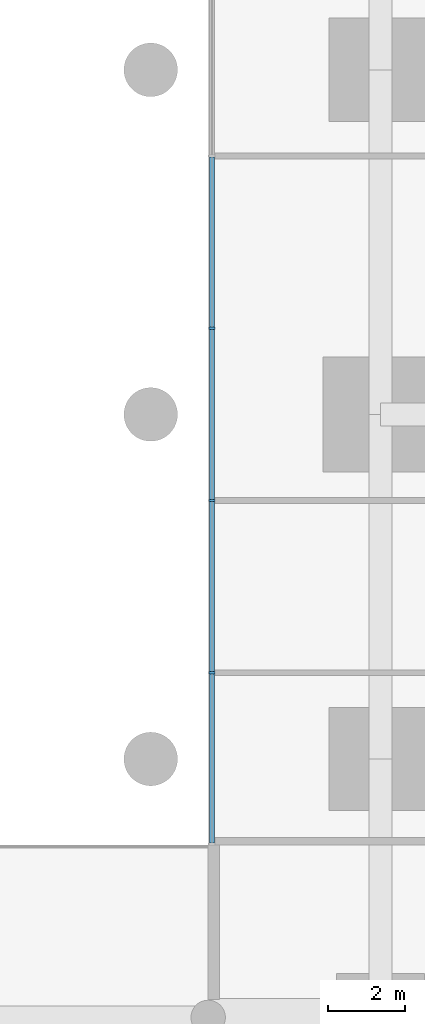
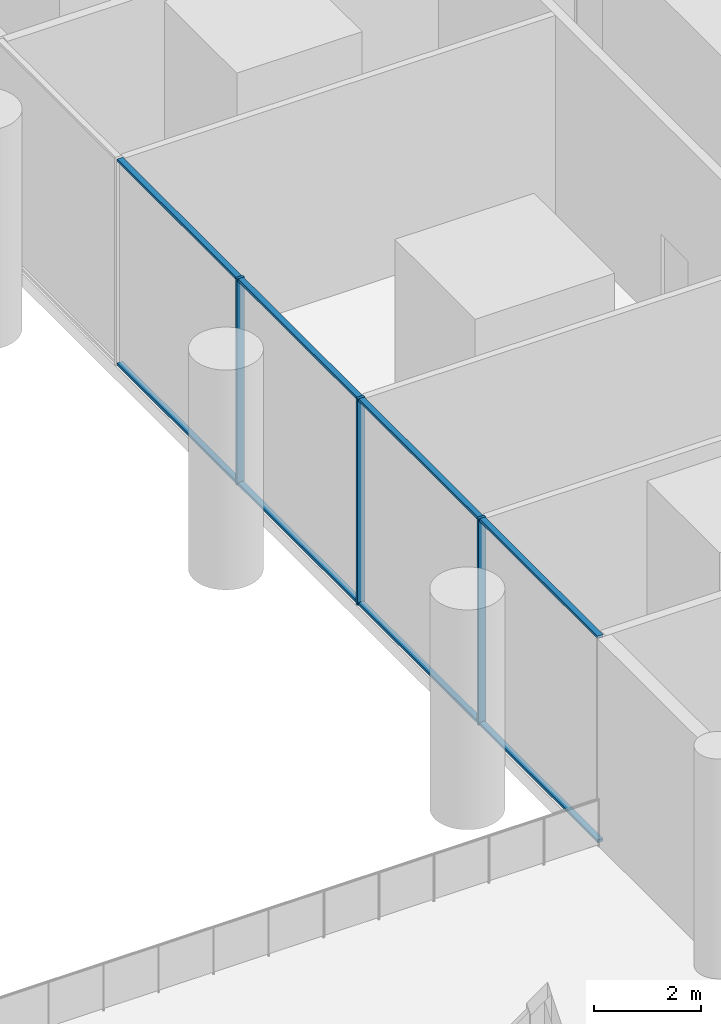
# One storey, part 4 of 22: 11 members, 1 element without a shape of its own.
"""IFC4 building model written with IfcOpenShell, lengths in metres."""

from ifc_helpers import new_model, si_unit, direction, frame, origin, origin_2d, place, context, subcontext, project, spatial, rectangle, extrude, material, layer, layer_set, material_profile, profile_set, type_object, element, aggregate, save


model = new_model("IFC4")

# Units and contexts
model_context = context("Model", 3, precision=1e-05, world=origin(), true_north=direction((0.0, 1.0)))
body_context = subcontext(model_context, "Body", "Model", "MODEL_VIEW")
ifc_project = project(units=[si_unit("LENGTHUNIT", "METRE"), si_unit("AREAUNIT", "SQUARE_METRE"), si_unit("VOLUMEUNIT", "CUBIC_METRE"), si_unit("PLANEANGLEUNIT", "RADIAN"), si_unit("MASSUNIT", "GRAM", prefix="KILO")], contexts=[model_context])

# Site, building, storey
site_placement = place(None, origin())
site = spatial("IfcSite", under=ifc_project, at=site_placement, CompositionType="ELEMENT")
building_placement = place(site_placement, origin())
building = spatial("IfcBuilding", under=site, at=building_placement, Name="Namib Vertical Campus", CompositionType="ELEMENT")
storey_placement = place(building_placement, frame((0.0, 0.0, 11.0)))
storey = spatial("IfcBuildingStorey", under=building, at=storey_placement, Name="L02", CompositionType="ELEMENT", Elevation=11.0)

# Curtain wall, members
ifc_material_1 = material(Name="Black aluminium curtain wall", Category="aluminium")
ifc_layer = layer(ifc_material_1, 0.199951171875)
ifc_layer_set = layer_set([ifc_layer], Name="Atrium screen curtain wall CW-AT")
curtain_wall_type = type_object("IfcCurtainWallType", Name="Atrium screen curtain wall CW-AT", PredefinedType="USERDEFINED", material=ifc_layer_set)
curtain_wall_placement = place(storey_placement, origin())
curtain_wall = element("IfcCurtainWall", 1, at=curtain_wall_placement, inside=storey, type_object=curtain_wall_type, Name="Curtain wall CW-AT atrium B L02 1", ObjectType="CURTAIN WALL", PredefinedType="USERDEFINED")
ifc_material_2 = material(Name="Black anodised aluminium", Category="aluminium")
ifc_material_profile_1 = material_profile(ifc_material_2, rectangle(XDim=0.06005859375, YDim=0.159912109375, at=origin_2d()))
ifc_profile_set_1 = profile_set([ifc_material_profile_1], Name="Black anodised aluminium")
member_type_1 = type_object("IfcMemberType", Name="Curtain wall mullion 60x160", PredefinedType="MULLION", material=ifc_profile_set_1)
member_1_placement = place(storey_placement, frame((63.10009765625, 13.5, 0.0), z_axis=(0.0, 0.0, 1.0), x_axis=(0.0, 1.0, 0.0)))
member_1 = element("IfcMember", 2, at=member_1_placement, type_object=member_type_1, Name="CW-AT mullion 2", PredefinedType="MULLION", context=body_context, shape_type="SweptSolid", body=[
    extrude(rectangle(XDim=0.06005859375, YDim=0.159912109375, at=origin_2d()), origin(), (0.0, 0.0, 1.0), 4.699951171875),
])
member_2_placement = place(storey_placement, frame((63.10009765625, 18.0, 0.0), z_axis=(0.0, 0.0, 1.0), x_axis=(0.0, 1.0, 0.0)))
member_2 = element("IfcMember", 3, at=member_2_placement, type_object=member_type_1, Name="CW-AT mullion 3", PredefinedType="MULLION", context=body_context, shape_type="SweptSolid", body=[
    extrude(rectangle(XDim=0.06005859375, YDim=0.159912109375, at=origin_2d()), origin(), (0.0, 0.0, 1.0), 4.699951171875),
])
member_3_placement = place(storey_placement, frame((63.10009765625, 22.5, 0.0), z_axis=(0.0, 0.0, 1.0), x_axis=(0.0, 1.0, 0.0)))
member_3 = element("IfcMember", 4, at=member_3_placement, type_object=member_type_1, Name="CW-AT mullion 4", PredefinedType="MULLION", context=body_context, shape_type="SweptSolid", body=[
    extrude(rectangle(XDim=0.06005859375, YDim=0.159912109375, at=origin_2d()), origin(), (0.0, 0.0, 1.0), 4.699951171875),
])
ifc_material_3 = material(Name="Black anodised aluminium", Category="aluminium")
ifc_material_profile_2 = material_profile(ifc_material_3, rectangle(XDim=0.06005859375, YDim=0.1201171875, at=origin_2d()))
ifc_profile_set_2 = profile_set([ifc_material_profile_2], Name="Black anodised aluminium")
member_type_2 = type_object("IfcMemberType", Name="Curtain wall transom 60x120", PredefinedType="USERDEFINED", material=ifc_profile_set_2)
member_4_placement = place(storey_placement, frame((63.10009765625, 9.06005859375, 0.030029296875), z_axis=(0.0, 1.0, 0.0), x_axis=(0.0, 0.0, 1.0)))
member_4 = element("IfcMember", 5, at=member_4_placement, type_object=member_type_2, Name="CW-AT transom 1.1", ObjectType="TRANSOM", PredefinedType="USERDEFINED", context=body_context, shape_type="SweptSolid", body=[
    extrude(rectangle(XDim=0.06005859375, YDim=0.1201171875, at=origin_2d()), origin(), (0.0, 0.0, 1.0), 4.409912109375),
])
member_5_placement = place(storey_placement, frame((63.10009765625, 9.06005859375, 4.669921875), z_axis=(0.0, 1.0, 0.0), x_axis=(0.0, 0.0, 1.0)))
member_5 = element("IfcMember", 6, at=member_5_placement, type_object=member_type_2, Name="CW-AT transom 1.2", ObjectType="TRANSOM", PredefinedType="USERDEFINED", context=body_context, shape_type="SweptSolid", body=[
    extrude(rectangle(XDim=0.06005859375, YDim=0.1201171875, at=origin_2d()), origin(), (0.0, 0.0, 1.0), 4.409912109375),
])
member_6_placement = place(storey_placement, frame((63.10009765625, 13.530029296875, 0.030029296875), z_axis=(0.0, 1.0, 0.0), x_axis=(0.0, 0.0, 1.0)))
member_6 = element("IfcMember", 7, at=member_6_placement, type_object=member_type_2, Name="CW-AT transom 2.1", ObjectType="TRANSOM", PredefinedType="USERDEFINED", context=body_context, shape_type="SweptSolid", body=[
    extrude(rectangle(XDim=0.06005859375, YDim=0.1201171875, at=origin_2d()), origin(), (0.0, 0.0, 1.0), 4.43994140625),
])
member_7_placement = place(storey_placement, frame((63.10009765625, 13.530029296875, 4.669921875), z_axis=(0.0, 1.0, 0.0), x_axis=(0.0, 0.0, 1.0)))
member_7 = element("IfcMember", 8, at=member_7_placement, type_object=member_type_2, Name="CW-AT transom 2.2", ObjectType="TRANSOM", PredefinedType="USERDEFINED", context=body_context, shape_type="SweptSolid", body=[
    extrude(rectangle(XDim=0.06005859375, YDim=0.1201171875, at=origin_2d()), origin(), (0.0, 0.0, 1.0), 4.43994140625),
])
member_8_placement = place(storey_placement, frame((63.10009765625, 18.030029296875, 0.030029296875), z_axis=(0.0, 1.0, 0.0), x_axis=(0.0, 0.0, 1.0)))
member_8 = element("IfcMember", 9, at=member_8_placement, type_object=member_type_2, Name="CW-AT transom 3.1", ObjectType="TRANSOM", PredefinedType="USERDEFINED", context=body_context, shape_type="SweptSolid", body=[
    extrude(rectangle(XDim=0.06005859375, YDim=0.1201171875, at=origin_2d()), origin(), (0.0, 0.0, 1.0), 4.43994140625),
])
member_9_placement = place(storey_placement, frame((63.10009765625, 18.030029296875, 4.669921875), z_axis=(0.0, 1.0, 0.0), x_axis=(0.0, 0.0, 1.0)))
member_9 = element("IfcMember", 10, at=member_9_placement, type_object=member_type_2, Name="CW-AT transom 3.2", ObjectType="TRANSOM", PredefinedType="USERDEFINED", context=body_context, shape_type="SweptSolid", body=[
    extrude(rectangle(XDim=0.06005859375, YDim=0.1201171875, at=origin_2d()), origin(), (0.0, 0.0, 1.0), 4.43994140625),
])
member_10_placement = place(storey_placement, frame((63.10009765625, 22.530029296875, 0.030029296875), z_axis=(0.0, 1.0, 0.0), x_axis=(0.0, 0.0, 1.0)))
member_10 = element("IfcMember", 11, at=member_10_placement, type_object=member_type_2, Name="CW-AT transom 4.1", ObjectType="TRANSOM", PredefinedType="USERDEFINED", context=body_context, shape_type="SweptSolid", body=[
    extrude(rectangle(XDim=0.06005859375, YDim=0.1201171875, at=origin_2d()), origin(), (0.0, 0.0, 1.0), 4.43994140625),
])
member_11_placement = place(storey_placement, frame((63.10009765625, 22.530029296875, 4.669921875), z_axis=(0.0, 1.0, 0.0), x_axis=(0.0, 0.0, 1.0)))
member_11 = element("IfcMember", 12, at=member_11_placement, type_object=member_type_2, Name="CW-AT transom 4.2", ObjectType="TRANSOM", PredefinedType="USERDEFINED", context=body_context, shape_type="SweptSolid", body=[
    extrude(rectangle(XDim=0.06005859375, YDim=0.1201171875, at=origin_2d()), origin(), (0.0, 0.0, 1.0), 4.43994140625),
])
aggregate(curtain_wall, [member_1, member_2, member_3, member_4, member_5, member_6, member_7, member_8, member_9, member_10, member_11])

save(model, "model.ifc")
